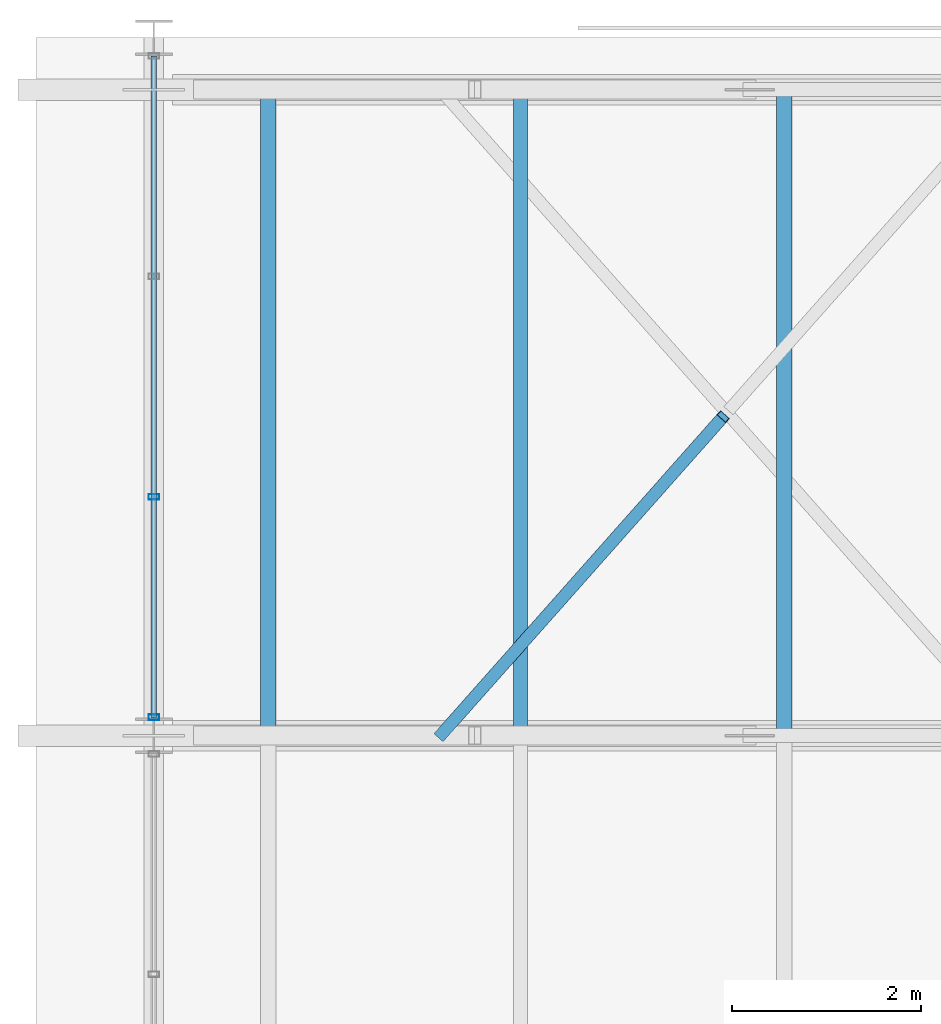
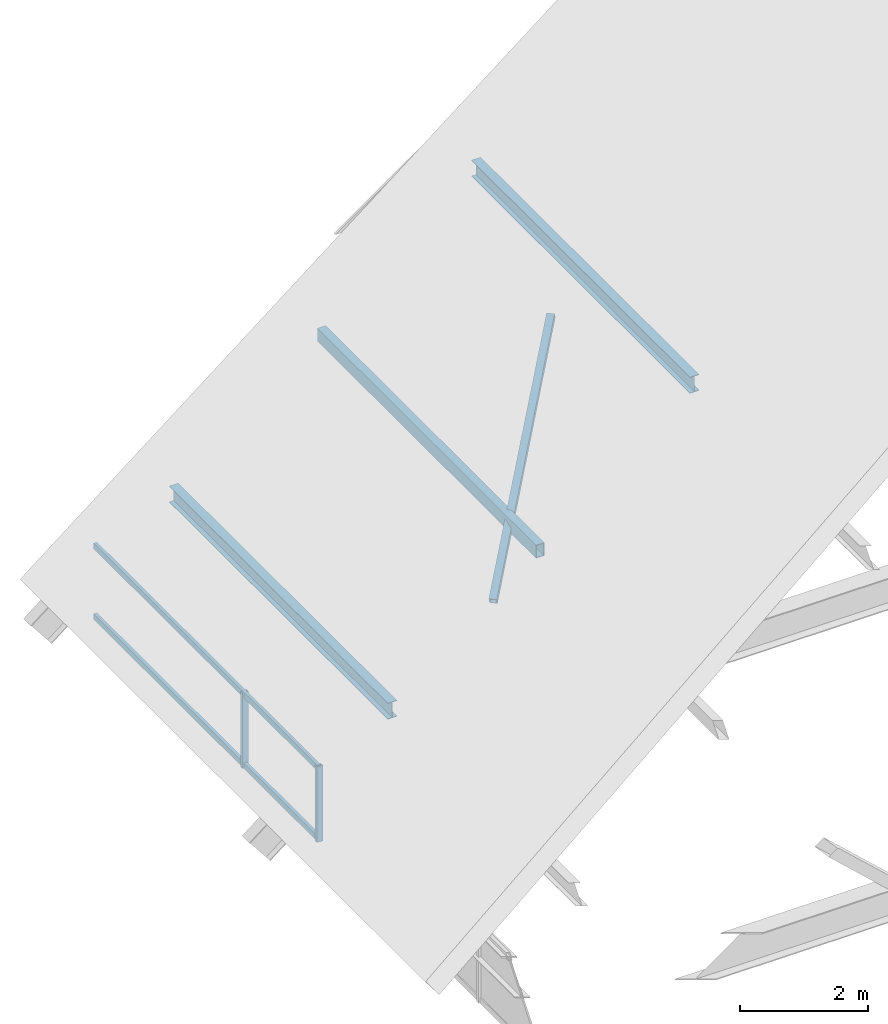
# One storey, part 34 of 44: 8 members, 1 element without a shape of its own.
"""IFC4 building model written with IfcOpenShell, lengths in metres."""

from ifc_helpers import new_model, si_unit, direction, frame, origin, origin_2d, place, context, subcontext, project, spatial, hollow_rectangle, i_section, extrude, material, material_profile, profile_set, type_object, element, aggregate, save


model = new_model("IFC4")

# Units and contexts
model_context = context("Model", 3, precision=1e-05, world=origin(), true_north=direction((0.0, 1.0)))
body_context = subcontext(model_context, "Body", "Model", "MODEL_VIEW")
ifc_project = project(units=[si_unit("LENGTHUNIT", "METRE"), si_unit("AREAUNIT", "SQUARE_METRE"), si_unit("VOLUMEUNIT", "CUBIC_METRE"), si_unit("PLANEANGLEUNIT", "RADIAN"), si_unit("MASSUNIT", "GRAM", prefix="KILO")], contexts=[model_context])

# Site, building, storey
site_placement = place(None, origin())
site = spatial("IfcSite", under=ifc_project, at=site_placement, CompositionType="ELEMENT")
building_placement = place(site_placement, origin())
building = spatial("IfcBuilding", under=site, at=building_placement, Name="Cimatlan Art Gallery", CompositionType="ELEMENT")
storey_placement = place(building_placement, frame((0.0, 0.0, 26.39990234375)))
storey = spatial("IfcBuildingStorey", under=building, at=storey_placement, Name="Roof", CompositionType="ELEMENT", Elevation=26.39990234375)

# Curtain wall, members
ifc_material_1 = material(Name="Anodised bronze unitised curtain wall")
curtain_wall_type = type_object("IfcCurtainWallType", Name="CW-V-07010X01450-B3", PredefinedType="NOTDEFINED", material=ifc_material_1)
curtain_wall_placement = place(storey_placement, origin())
curtain_wall = element("IfcCurtainWall", 1, at=curtain_wall_placement, inside=storey, type_object=curtain_wall_type, Name="CW-CRW-W-10", PredefinedType="NOTDEFINED")
ifc_material_2 = material(Name="Anodised bronze aluminium 6063-T6", Category="aluminium")
ifc_material_profile_1 = material_profile(ifc_material_2, hollow_rectangle(XDim=0.06005859375, YDim=0.110107421875, WallThickness=0.00341796875, at=origin_2d()), Name="ALU60X110X3")
ifc_profile_set_1 = profile_set([ifc_material_profile_1], Name="Anodised bronze aluminium 6063-T6")
member_type_1 = type_object("IfcMemberType", Name="CW-MUL-110", PredefinedType="MULLION", material=ifc_profile_set_1)
member_1_placement = place(storey_placement, frame((74.89990234375, 75.89501953125, 0.0), z_axis=(0.0, 0.0, 1.0), x_axis=(0.0, 1.0, 0.0)))
member_1 = element("IfcMember", 2, at=member_1_placement, type_object=member_type_1, Name="CW-CRW-W-10-M1", PredefinedType="MULLION", context=body_context, shape_type="SweptSolid", body=[
    extrude(hollow_rectangle(XDim=0.06005859375, YDim=0.110107421875, WallThickness=0.00341796875, at=origin_2d()), origin(), (0.0, 0.0, 1.0), 1.4501953125),
])
member_2_placement = place(storey_placement, frame((74.89990234375, 78.231689453125, 0.0), z_axis=(0.0, 0.0, 1.0), x_axis=(0.0, 1.0, 0.0)))
member_2 = element("IfcMember", 3, at=member_2_placement, type_object=member_type_1, Name="CW-CRW-W-10-M2", PredefinedType="MULLION", context=body_context, shape_type="SweptSolid", body=[
    extrude(hollow_rectangle(XDim=0.06005859375, YDim=0.110107421875, WallThickness=0.00341796875, at=origin_2d()), origin(), (0.0, 0.0, 1.0), 1.4501953125),
])
ifc_material_profile_2 = material_profile(ifc_material_2, hollow_rectangle(XDim=0.06005859375, YDim=0.110107421875, WallThickness=0.00341796875, at=origin_2d()), Name="ALU60X110X3")
ifc_profile_set_2 = profile_set([ifc_material_profile_2], Name="Anodised bronze aluminium 6063-T6")
member_type_2 = type_object("IfcMemberType", Name="CW-TRN-110", PredefinedType="USERDEFINED", material=ifc_profile_set_2)
member_3_placement = place(storey_placement, frame((74.89990234375, 75.89501953125, 0.050048828125), z_axis=(0.0, 1.0, 0.0), x_axis=(-1.0, 0.0, 0.0)))
member_3 = element("IfcMember", 4, at=member_3_placement, type_object=member_type_2, Name="CW-CRW-W-10-T1", ObjectType="TRANSOM", PredefinedType="USERDEFINED", context=body_context, shape_type="SweptSolid", body=[
    extrude(hollow_rectangle(XDim=0.06005859375, YDim=0.110107421875, WallThickness=0.00341796875, at=origin_2d()), origin(), (0.0, 0.0, 1.0), 7.010009765625),
])
member_4_placement = place(storey_placement, frame((74.89990234375, 75.89501953125, 1.400146484375), z_axis=(0.0, 1.0, 0.0), x_axis=(-1.0, 0.0, 0.0)))
member_4 = element("IfcMember", 5, at=member_4_placement, type_object=member_type_2, Name="CW-CRW-W-10-T2", ObjectType="TRANSOM", PredefinedType="USERDEFINED", context=body_context, shape_type="SweptSolid", body=[
    extrude(hollow_rectangle(XDim=0.06005859375, YDim=0.110107421875, WallThickness=0.00341796875, at=origin_2d()), origin(), (0.0, 0.0, 1.0), 7.010009765625),
])
aggregate(curtain_wall, [member_1, member_2, member_3, member_4])

# Members
ifc_material_3 = material(Name="Steel ASTM A500 Grade C", Category="steel")
ifc_material_profile_3 = material_profile(ifc_material_3, hollow_rectangle(XDim=0.14990234375, YDim=0.25, WallThickness=0.010009765625, at=origin_2d()), Name="HSS250X150X10")
ifc_profile_set_3 = profile_set([ifc_material_profile_3], Name="Steel ASTM A500 Grade C")
member_type_3 = type_object("IfcMemberType", Name="MBR-PUR-C250", PredefinedType="PURLIN", material=ifc_profile_set_3)
member_5_placement = place(storey_placement, frame((78.7880859375, 75.699951171875, 4.31201171875), z_axis=(0.0, 1.0, 0.0), x_axis=(-1.0, 0.0, 0.0)))
element("IfcMember", 6, at=member_5_placement, inside=storey, type_object=member_type_3, Name="PUR-V1-B8-W3", PredefinedType="PURLIN", context=body_context, shape_type="SweptSolid", body=[
    extrude(hollow_rectangle(XDim=0.14990234375, YDim=0.25, WallThickness=0.010009765625, at=origin_2d()), origin(), (0.0, 0.0, 1.0), 6.85009765625),
])
ifc_material_4 = material(Name="Steel ASTM A992 Grade 50", Category="steel")
ifc_material_profile_4 = material_profile(ifc_material_4, i_section(OverallWidth=0.1650390625, OverallDepth=0.31005859375, WebThickness=0.005859375, FlangeThickness=0.009765625, at=origin_2d()), Name="W12X26")
ifc_profile_set_4 = profile_set([ifc_material_profile_4], Name="Steel ASTM A992 Grade 50")
member_type_4 = type_object("IfcMemberType", Name="MBR-PUR-W12", PredefinedType="PURLIN", material=ifc_profile_set_4)
for number, where, z_axis, x_axis, name in (
    (7, (81.58251953125, 75.699951171875, 6.52001953125), (0.0, 1.0, 0.0), (-1.0, 0.0, 0.0), "PUR-V1-B8-W2"),
    (8, (76.114990234375, 75.699951171875, 2.2001953125), (0.0, 1.0, 0.0), (-1.0, 0.0, 0.0), "PUR-V1-B8-W4"),
):
    element("IfcMember", number, at=place(storey_placement, frame(where, z_axis=z_axis, x_axis=x_axis)), inside=storey, type_object=member_type_4, Name=name, PredefinedType="PURLIN", context=body_context, shape_type="SweptSolid", body=[
        extrude(i_section(OverallWidth=0.1650390625, OverallDepth=0.31005859375, WebThickness=0.005859375, FlangeThickness=0.009765625, at=origin_2d()), origin(), (0.0, 0.0, 1.0), 6.85009765625),
    ])
ifc_material_profile_5 = material_profile(ifc_material_3, hollow_rectangle(XDim=0.1298828125, YDim=0.1298828125, WallThickness=0.008056640625, at=origin_2d()), Name="HSS130X130X8")
ifc_profile_set_5 = profile_set([ifc_material_profile_5], Name="Steel ASTM A500 Grade C")
member_type_5 = type_object("IfcMemberType", Name="MBR-TRS-BRACE", PredefinedType="BRACE", material=ifc_profile_set_5)
member_6_placement = place(storey_placement, frame((77.9375, 75.699951171875, 3.64013671875), z_axis=(0.587667140887, 0.662620291609, 0.464307743496), x_axis=(-0.748153767817, 0.663525387382, 0.0)))
element("IfcMember", 9, at=member_6_placement, inside=storey, type_object=member_type_5, Name="BRC-V1-B8-W2A", PredefinedType="BRACE", context=body_context, shape_type="SweptSolid", body=[
    extrude(hollow_rectangle(XDim=0.1298828125, YDim=0.1298828125, WallThickness=0.008056640625, at=origin_2d()), origin(), (0.0, 0.0, 1.0), 5.10400390625),
])

save(model, "model.ifc")
